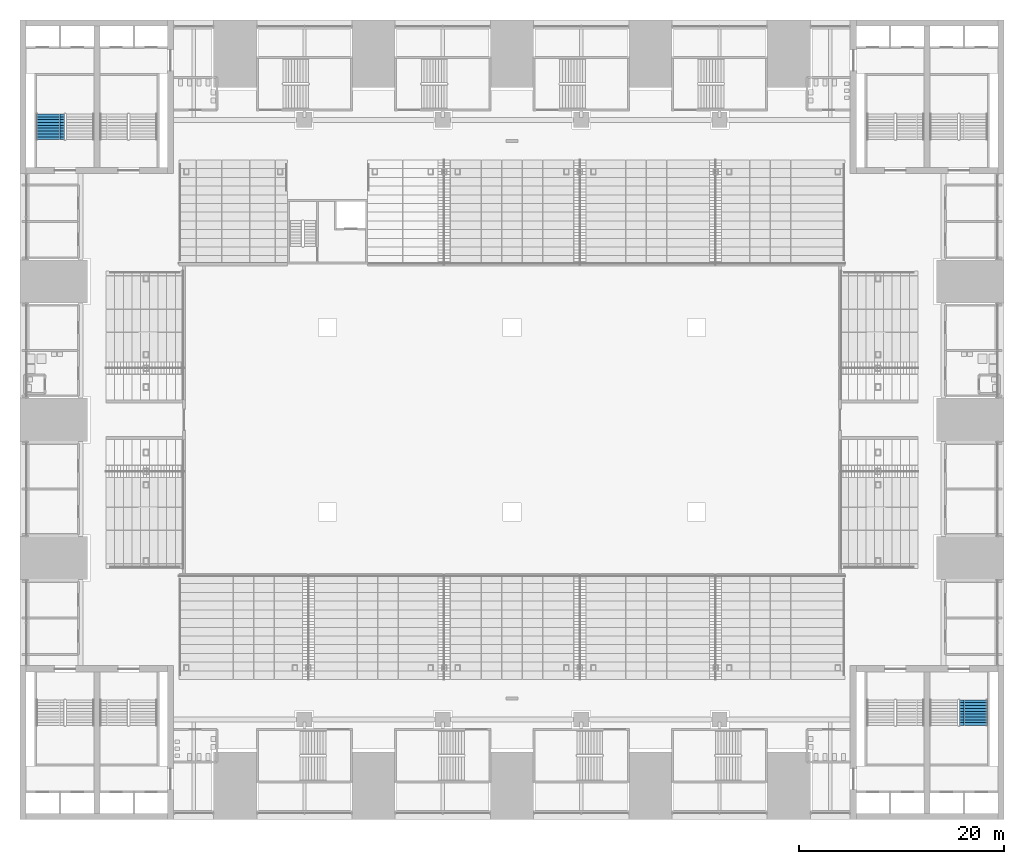
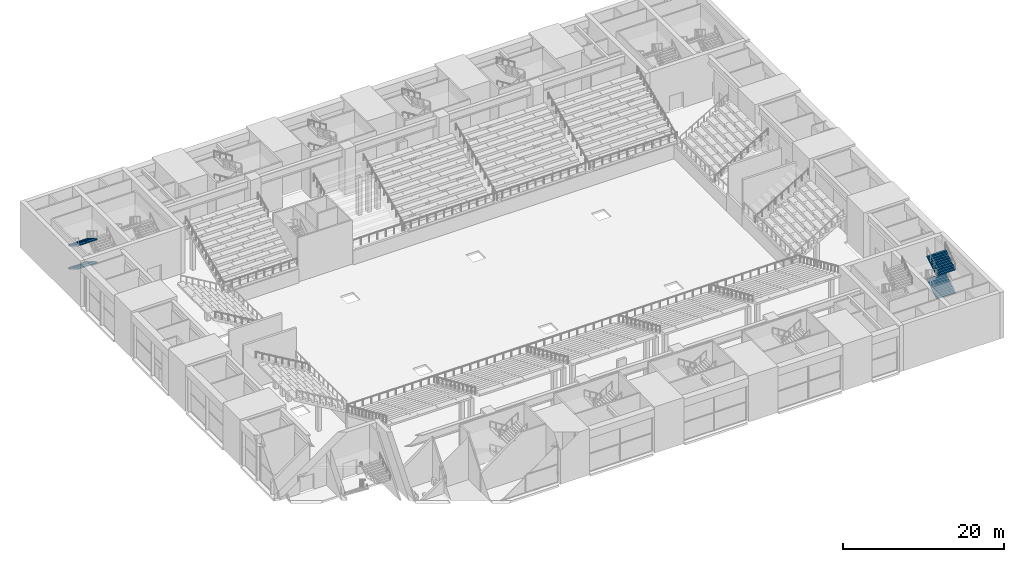
# One storey, part 47 of 62: 4 stair flights, 2 elements without a shape of their own.
"""IFC4 building model written with IfcOpenShell, lengths in metres."""

from ifc_helpers import new_model, si_unit, direction, frame, origin, place, context, subcontext, project, spatial, polyline, outline, extrude, material, type_object, element, aggregate, save


model = new_model("IFC4")

# Units and contexts
model_context = context("Model", 3, precision=1e-05, world=origin(), true_north=direction((0.0, 1.0)))
body_context = subcontext(model_context, "Body", "Model", "MODEL_VIEW")
ifc_project = project(units=[si_unit("LENGTHUNIT", "METRE"), si_unit("AREAUNIT", "SQUARE_METRE"), si_unit("VOLUMEUNIT", "CUBIC_METRE"), si_unit("PLANEANGLEUNIT", "RADIAN"), si_unit("MASSUNIT", "GRAM", prefix="KILO")], contexts=[model_context])

# Site, building, storey
site_placement = place(None, origin())
site = spatial("IfcSite", under=ifc_project, at=site_placement, CompositionType="ELEMENT")
building_placement = place(site_placement, origin())
building = spatial("IfcBuilding", under=site, at=building_placement, Name="Corbelhall Arena Tower", CompositionType="ELEMENT")
storey_placement = place(building_placement, frame((0.0, 0.0, 12.0)))
storey = spatial("IfcBuildingStorey", under=building, at=storey_placement, Name="L01", CompositionType="ELEMENT", Elevation=12.0)

# Stair, stair flights
ifc_material = material(Name="Reinforced concrete C40/50", Category="concrete")
stair_type = type_object("IfcStairType", Name="AR-EXIT-STAIR", PredefinedType="HALF_TURN_STAIR", material=ifc_material)
stair_1_placement = place(storey_placement, origin())
stair_1 = element("IfcStair", 1, at=stair_1_placement, inside=storey, type_object=stair_type, Name="L01 exit stair AS4", PredefinedType="HALF_TURN_STAIR")
stair_flight_type = type_object("IfcStairFlightType", Name="AR-EXIT-FLIGHT", PredefinedType="STRAIGHT", material=ifc_material)
stair_flight_1_placement = place(storey_placement, frame((-45.030029296875, 29.840087890625, 1.75), z_axis=(0.0, 0.0, 1.0), x_axis=(0.0, -1.0, 0.0)))
stair_flight_1 = element("IfcStairFlight", 2, at=stair_flight_1_placement, type_object=stair_flight_type, Name="AS4 flight 2", NumberOfRisers=10, NumberOfTreads=9, PredefinedType="STRAIGHT", RiserHeight=0.175, TreadLength=0.28, context=body_context, shape_type="SweptSolid", body=[
    extrude(outline(polyline([(0.0, 0.0), (0.0, 0.175048828125), (0.280029296875, 0.175048828125), (0.280029296875, 0.35009765625), (0.56005859375, 0.35009765625), (0.56005859375, 0.52490234375), (0.840087890625, 0.52490234375), (0.840087890625, 0.699951171875), (1.1201171875, 0.699951171875), (1.1201171875, 0.875), (1.39990234375, 0.875), (1.39990234375, 1.050048828125), (1.679931640625, 1.050048828125), (1.679931640625, 1.22509765625), (1.9599609375, 1.22509765625), (1.9599609375, 1.39990234375), (2.239990234375, 1.39990234375), (2.239990234375, 1.574951171875), (2.52001953125, 1.574951171875), (2.52001953125, 1.75), (2.52001953125, 1.398193359375), (0.28271484375, 0.0), (0.0, 0.0)])), frame((0.0, 1.35986328125, 0.0), z_axis=(0.0, -1.0, 0.0), x_axis=(1.0, 0.0, 0.0)), (0.0, 0.0, 1.0), 0.449951171875),
    extrude(outline(polyline([(0.0, 0.0), (0.0, 0.175048828125), (0.280029296875, 0.175048828125), (0.280029296875, 0.35009765625), (0.56005859375, 0.35009765625), (0.56005859375, 0.52490234375), (0.840087890625, 0.52490234375), (0.840087890625, 0.699951171875), (1.1201171875, 0.699951171875), (1.1201171875, 0.875), (1.39990234375, 0.875), (1.39990234375, 1.050048828125), (1.679931640625, 1.050048828125), (1.679931640625, 1.22509765625), (1.9599609375, 1.22509765625), (1.9599609375, 1.39990234375), (2.239990234375, 1.39990234375), (2.239990234375, 1.574951171875), (2.52001953125, 1.574951171875), (2.52001953125, 1.75), (2.52001953125, 1.398193359375), (0.28271484375, 0.0), (0.0, 0.0)])), frame((0.0, 0.906005859375, 0.0), z_axis=(0.0, -1.0, 0.0), x_axis=(1.0, 0.0, 0.0)), (0.0, 0.0, 1.0), 0.25537109375),
    extrude(outline(polyline([(0.0, 0.0), (0.0, 0.175048828125), (0.280029296875, 0.175048828125), (0.280029296875, 0.35009765625), (0.56005859375, 0.35009765625), (0.56005859375, 0.52490234375), (0.840087890625, 0.52490234375), (0.840087890625, 0.699951171875), (1.1201171875, 0.699951171875), (1.1201171875, 0.875), (1.39990234375, 0.875), (1.39990234375, 1.050048828125), (1.679931640625, 1.050048828125), (1.679931640625, 1.22509765625), (1.9599609375, 1.22509765625), (1.9599609375, 1.39990234375), (2.239990234375, 1.39990234375), (2.239990234375, 1.574951171875), (2.52001953125, 1.574951171875), (2.52001953125, 1.75), (2.52001953125, 1.398193359375), (0.28271484375, 0.0), (0.0, 0.0)])), frame((0.0, 0.646484375, 0.0), z_axis=(0.0, -1.0, 0.0), x_axis=(1.0, 0.0, 0.0)), (0.0, 0.0, 1.0), 0.25537109375),
    extrude(outline(polyline([(0.0, 0.0), (0.0, 0.175048828125), (0.280029296875, 0.175048828125), (0.280029296875, 0.35009765625), (0.56005859375, 0.35009765625), (0.56005859375, 0.52490234375), (0.840087890625, 0.52490234375), (0.840087890625, 0.699951171875), (1.1201171875, 0.699951171875), (1.1201171875, 0.875), (1.39990234375, 0.875), (1.39990234375, 1.050048828125), (1.679931640625, 1.050048828125), (1.679931640625, 1.22509765625), (1.9599609375, 1.22509765625), (1.9599609375, 1.39990234375), (2.239990234375, 1.39990234375), (2.239990234375, 1.574951171875), (2.52001953125, 1.574951171875), (2.52001953125, 1.75), (2.52001953125, 1.398193359375), (0.28271484375, 0.0), (0.0, 0.0)])), frame((0.0, 0.38720703125, 0.0), z_axis=(0.0, -1.0, 0.0), x_axis=(1.0, 0.0, 0.0)), (0.0, 0.0, 1.0), 0.25537109375),
    extrude(outline(polyline([(0.0, 0.0), (0.0, 0.175048828125), (0.280029296875, 0.175048828125), (0.280029296875, 0.35009765625), (0.56005859375, 0.35009765625), (0.56005859375, 0.52490234375), (0.840087890625, 0.52490234375), (0.840087890625, 0.699951171875), (1.1201171875, 0.699951171875), (1.1201171875, 0.875), (1.39990234375, 0.875), (1.39990234375, 1.050048828125), (1.679931640625, 1.050048828125), (1.679931640625, 1.22509765625), (1.9599609375, 1.22509765625), (1.9599609375, 1.39990234375), (2.239990234375, 1.39990234375), (2.239990234375, 1.574951171875), (2.52001953125, 1.574951171875), (2.52001953125, 1.75), (2.52001953125, 1.398193359375), (0.28271484375, 0.0), (0.0, 0.0)])), frame((0.0, 0.127685546875, 0.0), z_axis=(0.0, -1.0, 0.0), x_axis=(1.0, 0.0, 0.0)), (0.0, 0.0, 1.0), 0.25537109375),
    extrude(outline(polyline([(0.0, 0.0), (0.0, 0.175048828125), (0.280029296875, 0.175048828125), (0.280029296875, 0.35009765625), (0.56005859375, 0.35009765625), (0.56005859375, 0.52490234375), (0.840087890625, 0.52490234375), (0.840087890625, 0.699951171875), (1.1201171875, 0.699951171875), (1.1201171875, 0.875), (1.39990234375, 0.875), (1.39990234375, 1.050048828125), (1.679931640625, 1.050048828125), (1.679931640625, 1.22509765625), (1.9599609375, 1.22509765625), (1.9599609375, 1.39990234375), (2.239990234375, 1.39990234375), (2.239990234375, 1.574951171875), (2.52001953125, 1.574951171875), (2.52001953125, 1.75), (2.52001953125, 1.398193359375), (0.28271484375, 0.0), (0.0, 0.0)])), frame((0.0, -0.131591796875, 0.0), z_axis=(0.0, -1.0, 0.0), x_axis=(1.0, 0.0, 0.0)), (0.0, 0.0, 1.0), 0.25537109375),
    extrude(outline(polyline([(0.0, 0.0), (0.0, 0.175048828125), (0.280029296875, 0.175048828125), (0.280029296875, 0.35009765625), (0.56005859375, 0.35009765625), (0.56005859375, 0.52490234375), (0.840087890625, 0.52490234375), (0.840087890625, 0.699951171875), (1.1201171875, 0.699951171875), (1.1201171875, 0.875), (1.39990234375, 0.875), (1.39990234375, 1.050048828125), (1.679931640625, 1.050048828125), (1.679931640625, 1.22509765625), (1.9599609375, 1.22509765625), (1.9599609375, 1.39990234375), (2.239990234375, 1.39990234375), (2.239990234375, 1.574951171875), (2.52001953125, 1.574951171875), (2.52001953125, 1.75), (2.52001953125, 1.398193359375), (0.28271484375, 0.0), (0.0, 0.0)])), frame((0.0, -0.39111328125, 0.0), z_axis=(0.0, -1.0, 0.0), x_axis=(1.0, 0.0, 0.0)), (0.0, 0.0, 1.0), 0.25537109375),
    extrude(outline(polyline([(0.0, 0.0), (0.0, 0.175048828125), (0.280029296875, 0.175048828125), (0.280029296875, 0.35009765625), (0.56005859375, 0.35009765625), (0.56005859375, 0.52490234375), (0.840087890625, 0.52490234375), (0.840087890625, 0.699951171875), (1.1201171875, 0.699951171875), (1.1201171875, 0.875), (1.39990234375, 0.875), (1.39990234375, 1.050048828125), (1.679931640625, 1.050048828125), (1.679931640625, 1.22509765625), (1.9599609375, 1.22509765625), (1.9599609375, 1.39990234375), (2.239990234375, 1.39990234375), (2.239990234375, 1.574951171875), (2.52001953125, 1.574951171875), (2.52001953125, 1.75), (2.52001953125, 1.398193359375), (0.28271484375, 0.0), (0.0, 0.0)])), frame((0.0, -0.650634765625, 0.0), z_axis=(0.0, -1.0, 0.0), x_axis=(1.0, 0.0, 0.0)), (0.0, 0.0, 1.0), 0.25537109375),
    extrude(outline(polyline([(0.0, 0.0), (0.0, 0.175048828125), (0.280029296875, 0.175048828125), (0.280029296875, 0.35009765625), (0.56005859375, 0.35009765625), (0.56005859375, 0.52490234375), (0.840087890625, 0.52490234375), (0.840087890625, 0.699951171875), (1.1201171875, 0.699951171875), (1.1201171875, 0.875), (1.39990234375, 0.875), (1.39990234375, 1.050048828125), (1.679931640625, 1.050048828125), (1.679931640625, 1.22509765625), (1.9599609375, 1.22509765625), (1.9599609375, 1.39990234375), (2.239990234375, 1.39990234375), (2.239990234375, 1.574951171875), (2.52001953125, 1.574951171875), (2.52001953125, 1.75), (2.52001953125, 1.398193359375), (0.28271484375, 0.0), (0.0, 0.0)])), frame((0.0, -0.909912109375, 0.0), z_axis=(0.0, -1.0, 0.0), x_axis=(1.0, 0.0, 0.0)), (0.0, 0.0, 1.0), 0.449951171875),
])
stair_flight_2_placement = place(storey_placement, frame((-45.030029296875, 29.840087890625, 5.25), z_axis=(0.0, 0.0, 1.0), x_axis=(0.0, -1.0, 0.0)))
stair_flight_2 = element("IfcStairFlight", 3, at=stair_flight_2_placement, type_object=stair_flight_type, Name="AS4 flight 4", NumberOfRisers=10, NumberOfTreads=9, PredefinedType="STRAIGHT", RiserHeight=0.175, TreadLength=0.28, context=body_context, shape_type="SweptSolid", body=[
    extrude(outline(polyline([(0.0, 0.0), (0.0, 0.175048828125), (0.280029296875, 0.175048828125), (0.280029296875, 0.35009765625), (0.56005859375, 0.35009765625), (0.56005859375, 0.52490234375), (0.840087890625, 0.52490234375), (0.840087890625, 0.699951171875), (1.1201171875, 0.699951171875), (1.1201171875, 0.875), (1.39990234375, 0.875), (1.39990234375, 1.050048828125), (1.679931640625, 1.050048828125), (1.679931640625, 1.22509765625), (1.9599609375, 1.22509765625), (1.9599609375, 1.39990234375), (2.239990234375, 1.39990234375), (2.239990234375, 1.574951171875), (2.52001953125, 1.574951171875), (2.52001953125, 1.75), (2.52001953125, 1.398193359375), (0.28271484375, 0.0), (0.0, 0.0)])), frame((0.0, 1.35986328125, 0.0), z_axis=(0.0, -1.0, 0.0), x_axis=(1.0, 0.0, 0.0)), (0.0, 0.0, 1.0), 0.449951171875),
    extrude(outline(polyline([(0.0, 0.0), (0.0, 0.175048828125), (0.280029296875, 0.175048828125), (0.280029296875, 0.35009765625), (0.56005859375, 0.35009765625), (0.56005859375, 0.52490234375), (0.840087890625, 0.52490234375), (0.840087890625, 0.699951171875), (1.1201171875, 0.699951171875), (1.1201171875, 0.875), (1.39990234375, 0.875), (1.39990234375, 1.050048828125), (1.679931640625, 1.050048828125), (1.679931640625, 1.22509765625), (1.9599609375, 1.22509765625), (1.9599609375, 1.39990234375), (2.239990234375, 1.39990234375), (2.239990234375, 1.574951171875), (2.52001953125, 1.574951171875), (2.52001953125, 1.75), (2.52001953125, 1.398193359375), (0.28271484375, 0.0), (0.0, 0.0)])), frame((0.0, 0.906005859375, 0.0), z_axis=(0.0, -1.0, 0.0), x_axis=(1.0, 0.0, 0.0)), (0.0, 0.0, 1.0), 0.25537109375),
    extrude(outline(polyline([(0.0, 0.0), (0.0, 0.175048828125), (0.280029296875, 0.175048828125), (0.280029296875, 0.35009765625), (0.56005859375, 0.35009765625), (0.56005859375, 0.52490234375), (0.840087890625, 0.52490234375), (0.840087890625, 0.699951171875), (1.1201171875, 0.699951171875), (1.1201171875, 0.875), (1.39990234375, 0.875), (1.39990234375, 1.050048828125), (1.679931640625, 1.050048828125), (1.679931640625, 1.22509765625), (1.9599609375, 1.22509765625), (1.9599609375, 1.39990234375), (2.239990234375, 1.39990234375), (2.239990234375, 1.574951171875), (2.52001953125, 1.574951171875), (2.52001953125, 1.75), (2.52001953125, 1.398193359375), (0.28271484375, 0.0), (0.0, 0.0)])), frame((0.0, 0.646484375, 0.0), z_axis=(0.0, -1.0, 0.0), x_axis=(1.0, 0.0, 0.0)), (0.0, 0.0, 1.0), 0.25537109375),
    extrude(outline(polyline([(0.0, 0.0), (0.0, 0.175048828125), (0.280029296875, 0.175048828125), (0.280029296875, 0.35009765625), (0.56005859375, 0.35009765625), (0.56005859375, 0.52490234375), (0.840087890625, 0.52490234375), (0.840087890625, 0.699951171875), (1.1201171875, 0.699951171875), (1.1201171875, 0.875), (1.39990234375, 0.875), (1.39990234375, 1.050048828125), (1.679931640625, 1.050048828125), (1.679931640625, 1.22509765625), (1.9599609375, 1.22509765625), (1.9599609375, 1.39990234375), (2.239990234375, 1.39990234375), (2.239990234375, 1.574951171875), (2.52001953125, 1.574951171875), (2.52001953125, 1.75), (2.52001953125, 1.398193359375), (0.28271484375, 0.0), (0.0, 0.0)])), frame((0.0, 0.38720703125, 0.0), z_axis=(0.0, -1.0, 0.0), x_axis=(1.0, 0.0, 0.0)), (0.0, 0.0, 1.0), 0.25537109375),
    extrude(outline(polyline([(0.0, 0.0), (0.0, 0.175048828125), (0.280029296875, 0.175048828125), (0.280029296875, 0.35009765625), (0.56005859375, 0.35009765625), (0.56005859375, 0.52490234375), (0.840087890625, 0.52490234375), (0.840087890625, 0.699951171875), (1.1201171875, 0.699951171875), (1.1201171875, 0.875), (1.39990234375, 0.875), (1.39990234375, 1.050048828125), (1.679931640625, 1.050048828125), (1.679931640625, 1.22509765625), (1.9599609375, 1.22509765625), (1.9599609375, 1.39990234375), (2.239990234375, 1.39990234375), (2.239990234375, 1.574951171875), (2.52001953125, 1.574951171875), (2.52001953125, 1.75), (2.52001953125, 1.398193359375), (0.28271484375, 0.0), (0.0, 0.0)])), frame((0.0, 0.127685546875, 0.0), z_axis=(0.0, -1.0, 0.0), x_axis=(1.0, 0.0, 0.0)), (0.0, 0.0, 1.0), 0.25537109375),
    extrude(outline(polyline([(0.0, 0.0), (0.0, 0.175048828125), (0.280029296875, 0.175048828125), (0.280029296875, 0.35009765625), (0.56005859375, 0.35009765625), (0.56005859375, 0.52490234375), (0.840087890625, 0.52490234375), (0.840087890625, 0.699951171875), (1.1201171875, 0.699951171875), (1.1201171875, 0.875), (1.39990234375, 0.875), (1.39990234375, 1.050048828125), (1.679931640625, 1.050048828125), (1.679931640625, 1.22509765625), (1.9599609375, 1.22509765625), (1.9599609375, 1.39990234375), (2.239990234375, 1.39990234375), (2.239990234375, 1.574951171875), (2.52001953125, 1.574951171875), (2.52001953125, 1.75), (2.52001953125, 1.398193359375), (0.28271484375, 0.0), (0.0, 0.0)])), frame((0.0, -0.131591796875, 0.0), z_axis=(0.0, -1.0, 0.0), x_axis=(1.0, 0.0, 0.0)), (0.0, 0.0, 1.0), 0.25537109375),
    extrude(outline(polyline([(0.0, 0.0), (0.0, 0.175048828125), (0.280029296875, 0.175048828125), (0.280029296875, 0.35009765625), (0.56005859375, 0.35009765625), (0.56005859375, 0.52490234375), (0.840087890625, 0.52490234375), (0.840087890625, 0.699951171875), (1.1201171875, 0.699951171875), (1.1201171875, 0.875), (1.39990234375, 0.875), (1.39990234375, 1.050048828125), (1.679931640625, 1.050048828125), (1.679931640625, 1.22509765625), (1.9599609375, 1.22509765625), (1.9599609375, 1.39990234375), (2.239990234375, 1.39990234375), (2.239990234375, 1.574951171875), (2.52001953125, 1.574951171875), (2.52001953125, 1.75), (2.52001953125, 1.398193359375), (0.28271484375, 0.0), (0.0, 0.0)])), frame((0.0, -0.39111328125, 0.0), z_axis=(0.0, -1.0, 0.0), x_axis=(1.0, 0.0, 0.0)), (0.0, 0.0, 1.0), 0.25537109375),
    extrude(outline(polyline([(0.0, 0.0), (0.0, 0.175048828125), (0.280029296875, 0.175048828125), (0.280029296875, 0.35009765625), (0.56005859375, 0.35009765625), (0.56005859375, 0.52490234375), (0.840087890625, 0.52490234375), (0.840087890625, 0.699951171875), (1.1201171875, 0.699951171875), (1.1201171875, 0.875), (1.39990234375, 0.875), (1.39990234375, 1.050048828125), (1.679931640625, 1.050048828125), (1.679931640625, 1.22509765625), (1.9599609375, 1.22509765625), (1.9599609375, 1.39990234375), (2.239990234375, 1.39990234375), (2.239990234375, 1.574951171875), (2.52001953125, 1.574951171875), (2.52001953125, 1.75), (2.52001953125, 1.398193359375), (0.28271484375, 0.0), (0.0, 0.0)])), frame((0.0, -0.650634765625, 0.0), z_axis=(0.0, -1.0, 0.0), x_axis=(1.0, 0.0, 0.0)), (0.0, 0.0, 1.0), 0.25537109375),
    extrude(outline(polyline([(0.0, 0.0), (0.0, 0.175048828125), (0.280029296875, 0.175048828125), (0.280029296875, 0.35009765625), (0.56005859375, 0.35009765625), (0.56005859375, 0.52490234375), (0.840087890625, 0.52490234375), (0.840087890625, 0.699951171875), (1.1201171875, 0.699951171875), (1.1201171875, 0.875), (1.39990234375, 0.875), (1.39990234375, 1.050048828125), (1.679931640625, 1.050048828125), (1.679931640625, 1.22509765625), (1.9599609375, 1.22509765625), (1.9599609375, 1.39990234375), (2.239990234375, 1.39990234375), (2.239990234375, 1.574951171875), (2.52001953125, 1.574951171875), (2.52001953125, 1.75), (2.52001953125, 1.398193359375), (0.28271484375, 0.0), (0.0, 0.0)])), frame((0.0, -0.909912109375, 0.0), z_axis=(0.0, -1.0, 0.0), x_axis=(1.0, 0.0, 0.0)), (0.0, 0.0, 1.0), 0.449951171875),
])
aggregate(stair_1, [stair_flight_1, stair_flight_2])

stair_2_placement = place(storey_placement, origin())
stair_2 = element("IfcStair", 4, at=stair_2_placement, inside=storey, type_object=stair_type, Name="L01 exit stair AS6", PredefinedType="HALF_TURN_STAIR")
stair_flight_3_placement = place(storey_placement, frame((45.030029296875, -29.840087890625, 1.75), z_axis=(0.0, 0.0, 1.0), x_axis=(0.0, 1.0, 0.0)))
stair_flight_3 = element("IfcStairFlight", 5, at=stair_flight_3_placement, type_object=stair_flight_type, Name="AS6 flight 2", NumberOfRisers=10, NumberOfTreads=9, PredefinedType="STRAIGHT", RiserHeight=0.175, TreadLength=0.28, context=body_context, shape_type="SweptSolid", body=[
    extrude(outline(polyline([(0.0, 0.0), (0.0, 0.175048828125), (0.280029296875, 0.175048828125), (0.280029296875, 0.35009765625), (0.56005859375, 0.35009765625), (0.56005859375, 0.52490234375), (0.840087890625, 0.52490234375), (0.840087890625, 0.699951171875), (1.1201171875, 0.699951171875), (1.1201171875, 0.875), (1.39990234375, 0.875), (1.39990234375, 1.050048828125), (1.679931640625, 1.050048828125), (1.679931640625, 1.22509765625), (1.9599609375, 1.22509765625), (1.9599609375, 1.39990234375), (2.239990234375, 1.39990234375), (2.239990234375, 1.574951171875), (2.52001953125, 1.574951171875), (2.52001953125, 1.75), (2.52001953125, 1.398193359375), (0.28271484375, 0.0), (0.0, 0.0)])), frame((0.0, 1.35986328125, 0.0), z_axis=(0.0, -1.0, 0.0), x_axis=(1.0, 0.0, 0.0)), (0.0, 0.0, 1.0), 0.449951171875),
    extrude(outline(polyline([(0.0, 0.0), (0.0, 0.175048828125), (0.280029296875, 0.175048828125), (0.280029296875, 0.35009765625), (0.56005859375, 0.35009765625), (0.56005859375, 0.52490234375), (0.840087890625, 0.52490234375), (0.840087890625, 0.699951171875), (1.1201171875, 0.699951171875), (1.1201171875, 0.875), (1.39990234375, 0.875), (1.39990234375, 1.050048828125), (1.679931640625, 1.050048828125), (1.679931640625, 1.22509765625), (1.9599609375, 1.22509765625), (1.9599609375, 1.39990234375), (2.239990234375, 1.39990234375), (2.239990234375, 1.574951171875), (2.52001953125, 1.574951171875), (2.52001953125, 1.75), (2.52001953125, 1.398193359375), (0.28271484375, 0.0), (0.0, 0.0)])), frame((0.0, 0.906005859375, 0.0), z_axis=(0.0, -1.0, 0.0), x_axis=(1.0, 0.0, 0.0)), (0.0, 0.0, 1.0), 0.25537109375),
    extrude(outline(polyline([(0.0, 0.0), (0.0, 0.175048828125), (0.280029296875, 0.175048828125), (0.280029296875, 0.35009765625), (0.56005859375, 0.35009765625), (0.56005859375, 0.52490234375), (0.840087890625, 0.52490234375), (0.840087890625, 0.699951171875), (1.1201171875, 0.699951171875), (1.1201171875, 0.875), (1.39990234375, 0.875), (1.39990234375, 1.050048828125), (1.679931640625, 1.050048828125), (1.679931640625, 1.22509765625), (1.9599609375, 1.22509765625), (1.9599609375, 1.39990234375), (2.239990234375, 1.39990234375), (2.239990234375, 1.574951171875), (2.52001953125, 1.574951171875), (2.52001953125, 1.75), (2.52001953125, 1.398193359375), (0.28271484375, 0.0), (0.0, 0.0)])), frame((0.0, 0.646484375, 0.0), z_axis=(0.0, -1.0, 0.0), x_axis=(1.0, 0.0, 0.0)), (0.0, 0.0, 1.0), 0.25537109375),
    extrude(outline(polyline([(0.0, 0.0), (0.0, 0.175048828125), (0.280029296875, 0.175048828125), (0.280029296875, 0.35009765625), (0.56005859375, 0.35009765625), (0.56005859375, 0.52490234375), (0.840087890625, 0.52490234375), (0.840087890625, 0.699951171875), (1.1201171875, 0.699951171875), (1.1201171875, 0.875), (1.39990234375, 0.875), (1.39990234375, 1.050048828125), (1.679931640625, 1.050048828125), (1.679931640625, 1.22509765625), (1.9599609375, 1.22509765625), (1.9599609375, 1.39990234375), (2.239990234375, 1.39990234375), (2.239990234375, 1.574951171875), (2.52001953125, 1.574951171875), (2.52001953125, 1.75), (2.52001953125, 1.398193359375), (0.28271484375, 0.0), (0.0, 0.0)])), frame((0.0, 0.38720703125, 0.0), z_axis=(0.0, -1.0, 0.0), x_axis=(1.0, 0.0, 0.0)), (0.0, 0.0, 1.0), 0.25537109375),
    extrude(outline(polyline([(0.0, 0.0), (0.0, 0.175048828125), (0.280029296875, 0.175048828125), (0.280029296875, 0.35009765625), (0.56005859375, 0.35009765625), (0.56005859375, 0.52490234375), (0.840087890625, 0.52490234375), (0.840087890625, 0.699951171875), (1.1201171875, 0.699951171875), (1.1201171875, 0.875), (1.39990234375, 0.875), (1.39990234375, 1.050048828125), (1.679931640625, 1.050048828125), (1.679931640625, 1.22509765625), (1.9599609375, 1.22509765625), (1.9599609375, 1.39990234375), (2.239990234375, 1.39990234375), (2.239990234375, 1.574951171875), (2.52001953125, 1.574951171875), (2.52001953125, 1.75), (2.52001953125, 1.398193359375), (0.28271484375, 0.0), (0.0, 0.0)])), frame((0.0, 0.127685546875, 0.0), z_axis=(0.0, -1.0, 0.0), x_axis=(1.0, 0.0, 0.0)), (0.0, 0.0, 1.0), 0.25537109375),
    extrude(outline(polyline([(0.0, 0.0), (0.0, 0.175048828125), (0.280029296875, 0.175048828125), (0.280029296875, 0.35009765625), (0.56005859375, 0.35009765625), (0.56005859375, 0.52490234375), (0.840087890625, 0.52490234375), (0.840087890625, 0.699951171875), (1.1201171875, 0.699951171875), (1.1201171875, 0.875), (1.39990234375, 0.875), (1.39990234375, 1.050048828125), (1.679931640625, 1.050048828125), (1.679931640625, 1.22509765625), (1.9599609375, 1.22509765625), (1.9599609375, 1.39990234375), (2.239990234375, 1.39990234375), (2.239990234375, 1.574951171875), (2.52001953125, 1.574951171875), (2.52001953125, 1.75), (2.52001953125, 1.398193359375), (0.28271484375, 0.0), (0.0, 0.0)])), frame((0.0, -0.131591796875, 0.0), z_axis=(0.0, -1.0, 0.0), x_axis=(1.0, 0.0, 0.0)), (0.0, 0.0, 1.0), 0.25537109375),
    extrude(outline(polyline([(0.0, 0.0), (0.0, 0.175048828125), (0.280029296875, 0.175048828125), (0.280029296875, 0.35009765625), (0.56005859375, 0.35009765625), (0.56005859375, 0.52490234375), (0.840087890625, 0.52490234375), (0.840087890625, 0.699951171875), (1.1201171875, 0.699951171875), (1.1201171875, 0.875), (1.39990234375, 0.875), (1.39990234375, 1.050048828125), (1.679931640625, 1.050048828125), (1.679931640625, 1.22509765625), (1.9599609375, 1.22509765625), (1.9599609375, 1.39990234375), (2.239990234375, 1.39990234375), (2.239990234375, 1.574951171875), (2.52001953125, 1.574951171875), (2.52001953125, 1.75), (2.52001953125, 1.398193359375), (0.28271484375, 0.0), (0.0, 0.0)])), frame((0.0, -0.39111328125, 0.0), z_axis=(0.0, -1.0, 0.0), x_axis=(1.0, 0.0, 0.0)), (0.0, 0.0, 1.0), 0.25537109375),
    extrude(outline(polyline([(0.0, 0.0), (0.0, 0.175048828125), (0.280029296875, 0.175048828125), (0.280029296875, 0.35009765625), (0.56005859375, 0.35009765625), (0.56005859375, 0.52490234375), (0.840087890625, 0.52490234375), (0.840087890625, 0.699951171875), (1.1201171875, 0.699951171875), (1.1201171875, 0.875), (1.39990234375, 0.875), (1.39990234375, 1.050048828125), (1.679931640625, 1.050048828125), (1.679931640625, 1.22509765625), (1.9599609375, 1.22509765625), (1.9599609375, 1.39990234375), (2.239990234375, 1.39990234375), (2.239990234375, 1.574951171875), (2.52001953125, 1.574951171875), (2.52001953125, 1.75), (2.52001953125, 1.398193359375), (0.28271484375, 0.0), (0.0, 0.0)])), frame((0.0, -0.650634765625, 0.0), z_axis=(0.0, -1.0, 0.0), x_axis=(1.0, 0.0, 0.0)), (0.0, 0.0, 1.0), 0.25537109375),
    extrude(outline(polyline([(0.0, 0.0), (0.0, 0.175048828125), (0.280029296875, 0.175048828125), (0.280029296875, 0.35009765625), (0.56005859375, 0.35009765625), (0.56005859375, 0.52490234375), (0.840087890625, 0.52490234375), (0.840087890625, 0.699951171875), (1.1201171875, 0.699951171875), (1.1201171875, 0.875), (1.39990234375, 0.875), (1.39990234375, 1.050048828125), (1.679931640625, 1.050048828125), (1.679931640625, 1.22509765625), (1.9599609375, 1.22509765625), (1.9599609375, 1.39990234375), (2.239990234375, 1.39990234375), (2.239990234375, 1.574951171875), (2.52001953125, 1.574951171875), (2.52001953125, 1.75), (2.52001953125, 1.398193359375), (0.28271484375, 0.0), (0.0, 0.0)])), frame((0.0, -0.909912109375, 0.0), z_axis=(0.0, -1.0, 0.0), x_axis=(1.0, 0.0, 0.0)), (0.0, 0.0, 1.0), 0.449951171875),
])
stair_flight_4_placement = place(storey_placement, frame((45.030029296875, -29.840087890625, 5.25), z_axis=(0.0, 0.0, 1.0), x_axis=(0.0, 1.0, 0.0)))
stair_flight_4 = element("IfcStairFlight", 6, at=stair_flight_4_placement, type_object=stair_flight_type, Name="AS6 flight 4", NumberOfRisers=10, NumberOfTreads=9, PredefinedType="STRAIGHT", RiserHeight=0.175, TreadLength=0.28, context=body_context, shape_type="SweptSolid", body=[
    extrude(outline(polyline([(0.0, 0.0), (0.0, 0.175048828125), (0.280029296875, 0.175048828125), (0.280029296875, 0.35009765625), (0.56005859375, 0.35009765625), (0.56005859375, 0.52490234375), (0.840087890625, 0.52490234375), (0.840087890625, 0.699951171875), (1.1201171875, 0.699951171875), (1.1201171875, 0.875), (1.39990234375, 0.875), (1.39990234375, 1.050048828125), (1.679931640625, 1.050048828125), (1.679931640625, 1.22509765625), (1.9599609375, 1.22509765625), (1.9599609375, 1.39990234375), (2.239990234375, 1.39990234375), (2.239990234375, 1.574951171875), (2.52001953125, 1.574951171875), (2.52001953125, 1.75), (2.52001953125, 1.398193359375), (0.28271484375, 0.0), (0.0, 0.0)])), frame((0.0, 1.35986328125, 0.0), z_axis=(0.0, -1.0, 0.0), x_axis=(1.0, 0.0, 0.0)), (0.0, 0.0, 1.0), 0.449951171875),
    extrude(outline(polyline([(0.0, 0.0), (0.0, 0.175048828125), (0.280029296875, 0.175048828125), (0.280029296875, 0.35009765625), (0.56005859375, 0.35009765625), (0.56005859375, 0.52490234375), (0.840087890625, 0.52490234375), (0.840087890625, 0.699951171875), (1.1201171875, 0.699951171875), (1.1201171875, 0.875), (1.39990234375, 0.875), (1.39990234375, 1.050048828125), (1.679931640625, 1.050048828125), (1.679931640625, 1.22509765625), (1.9599609375, 1.22509765625), (1.9599609375, 1.39990234375), (2.239990234375, 1.39990234375), (2.239990234375, 1.574951171875), (2.52001953125, 1.574951171875), (2.52001953125, 1.75), (2.52001953125, 1.398193359375), (0.28271484375, 0.0), (0.0, 0.0)])), frame((0.0, 0.906005859375, 0.0), z_axis=(0.0, -1.0, 0.0), x_axis=(1.0, 0.0, 0.0)), (0.0, 0.0, 1.0), 0.25537109375),
    extrude(outline(polyline([(0.0, 0.0), (0.0, 0.175048828125), (0.280029296875, 0.175048828125), (0.280029296875, 0.35009765625), (0.56005859375, 0.35009765625), (0.56005859375, 0.52490234375), (0.840087890625, 0.52490234375), (0.840087890625, 0.699951171875), (1.1201171875, 0.699951171875), (1.1201171875, 0.875), (1.39990234375, 0.875), (1.39990234375, 1.050048828125), (1.679931640625, 1.050048828125), (1.679931640625, 1.22509765625), (1.9599609375, 1.22509765625), (1.9599609375, 1.39990234375), (2.239990234375, 1.39990234375), (2.239990234375, 1.574951171875), (2.52001953125, 1.574951171875), (2.52001953125, 1.75), (2.52001953125, 1.398193359375), (0.28271484375, 0.0), (0.0, 0.0)])), frame((0.0, 0.646484375, 0.0), z_axis=(0.0, -1.0, 0.0), x_axis=(1.0, 0.0, 0.0)), (0.0, 0.0, 1.0), 0.25537109375),
    extrude(outline(polyline([(0.0, 0.0), (0.0, 0.175048828125), (0.280029296875, 0.175048828125), (0.280029296875, 0.35009765625), (0.56005859375, 0.35009765625), (0.56005859375, 0.52490234375), (0.840087890625, 0.52490234375), (0.840087890625, 0.699951171875), (1.1201171875, 0.699951171875), (1.1201171875, 0.875), (1.39990234375, 0.875), (1.39990234375, 1.050048828125), (1.679931640625, 1.050048828125), (1.679931640625, 1.22509765625), (1.9599609375, 1.22509765625), (1.9599609375, 1.39990234375), (2.239990234375, 1.39990234375), (2.239990234375, 1.574951171875), (2.52001953125, 1.574951171875), (2.52001953125, 1.75), (2.52001953125, 1.398193359375), (0.28271484375, 0.0), (0.0, 0.0)])), frame((0.0, 0.38720703125, 0.0), z_axis=(0.0, -1.0, 0.0), x_axis=(1.0, 0.0, 0.0)), (0.0, 0.0, 1.0), 0.25537109375),
    extrude(outline(polyline([(0.0, 0.0), (0.0, 0.175048828125), (0.280029296875, 0.175048828125), (0.280029296875, 0.35009765625), (0.56005859375, 0.35009765625), (0.56005859375, 0.52490234375), (0.840087890625, 0.52490234375), (0.840087890625, 0.699951171875), (1.1201171875, 0.699951171875), (1.1201171875, 0.875), (1.39990234375, 0.875), (1.39990234375, 1.050048828125), (1.679931640625, 1.050048828125), (1.679931640625, 1.22509765625), (1.9599609375, 1.22509765625), (1.9599609375, 1.39990234375), (2.239990234375, 1.39990234375), (2.239990234375, 1.574951171875), (2.52001953125, 1.574951171875), (2.52001953125, 1.75), (2.52001953125, 1.398193359375), (0.28271484375, 0.0), (0.0, 0.0)])), frame((0.0, 0.127685546875, 0.0), z_axis=(0.0, -1.0, 0.0), x_axis=(1.0, 0.0, 0.0)), (0.0, 0.0, 1.0), 0.25537109375),
    extrude(outline(polyline([(0.0, 0.0), (0.0, 0.175048828125), (0.280029296875, 0.175048828125), (0.280029296875, 0.35009765625), (0.56005859375, 0.35009765625), (0.56005859375, 0.52490234375), (0.840087890625, 0.52490234375), (0.840087890625, 0.699951171875), (1.1201171875, 0.699951171875), (1.1201171875, 0.875), (1.39990234375, 0.875), (1.39990234375, 1.050048828125), (1.679931640625, 1.050048828125), (1.679931640625, 1.22509765625), (1.9599609375, 1.22509765625), (1.9599609375, 1.39990234375), (2.239990234375, 1.39990234375), (2.239990234375, 1.574951171875), (2.52001953125, 1.574951171875), (2.52001953125, 1.75), (2.52001953125, 1.398193359375), (0.28271484375, 0.0), (0.0, 0.0)])), frame((0.0, -0.131591796875, 0.0), z_axis=(0.0, -1.0, 0.0), x_axis=(1.0, 0.0, 0.0)), (0.0, 0.0, 1.0), 0.25537109375),
    extrude(outline(polyline([(0.0, 0.0), (0.0, 0.175048828125), (0.280029296875, 0.175048828125), (0.280029296875, 0.35009765625), (0.56005859375, 0.35009765625), (0.56005859375, 0.52490234375), (0.840087890625, 0.52490234375), (0.840087890625, 0.699951171875), (1.1201171875, 0.699951171875), (1.1201171875, 0.875), (1.39990234375, 0.875), (1.39990234375, 1.050048828125), (1.679931640625, 1.050048828125), (1.679931640625, 1.22509765625), (1.9599609375, 1.22509765625), (1.9599609375, 1.39990234375), (2.239990234375, 1.39990234375), (2.239990234375, 1.574951171875), (2.52001953125, 1.574951171875), (2.52001953125, 1.75), (2.52001953125, 1.398193359375), (0.28271484375, 0.0), (0.0, 0.0)])), frame((0.0, -0.39111328125, 0.0), z_axis=(0.0, -1.0, 0.0), x_axis=(1.0, 0.0, 0.0)), (0.0, 0.0, 1.0), 0.25537109375),
    extrude(outline(polyline([(0.0, 0.0), (0.0, 0.175048828125), (0.280029296875, 0.175048828125), (0.280029296875, 0.35009765625), (0.56005859375, 0.35009765625), (0.56005859375, 0.52490234375), (0.840087890625, 0.52490234375), (0.840087890625, 0.699951171875), (1.1201171875, 0.699951171875), (1.1201171875, 0.875), (1.39990234375, 0.875), (1.39990234375, 1.050048828125), (1.679931640625, 1.050048828125), (1.679931640625, 1.22509765625), (1.9599609375, 1.22509765625), (1.9599609375, 1.39990234375), (2.239990234375, 1.39990234375), (2.239990234375, 1.574951171875), (2.52001953125, 1.574951171875), (2.52001953125, 1.75), (2.52001953125, 1.398193359375), (0.28271484375, 0.0), (0.0, 0.0)])), frame((0.0, -0.650634765625, 0.0), z_axis=(0.0, -1.0, 0.0), x_axis=(1.0, 0.0, 0.0)), (0.0, 0.0, 1.0), 0.25537109375),
    extrude(outline(polyline([(0.0, 0.0), (0.0, 0.175048828125), (0.280029296875, 0.175048828125), (0.280029296875, 0.35009765625), (0.56005859375, 0.35009765625), (0.56005859375, 0.52490234375), (0.840087890625, 0.52490234375), (0.840087890625, 0.699951171875), (1.1201171875, 0.699951171875), (1.1201171875, 0.875), (1.39990234375, 0.875), (1.39990234375, 1.050048828125), (1.679931640625, 1.050048828125), (1.679931640625, 1.22509765625), (1.9599609375, 1.22509765625), (1.9599609375, 1.39990234375), (2.239990234375, 1.39990234375), (2.239990234375, 1.574951171875), (2.52001953125, 1.574951171875), (2.52001953125, 1.75), (2.52001953125, 1.398193359375), (0.28271484375, 0.0), (0.0, 0.0)])), frame((0.0, -0.909912109375, 0.0), z_axis=(0.0, -1.0, 0.0), x_axis=(1.0, 0.0, 0.0)), (0.0, 0.0, 1.0), 0.449951171875),
])
aggregate(stair_2, [stair_flight_3, stair_flight_4])

save(model, "model.ifc")
